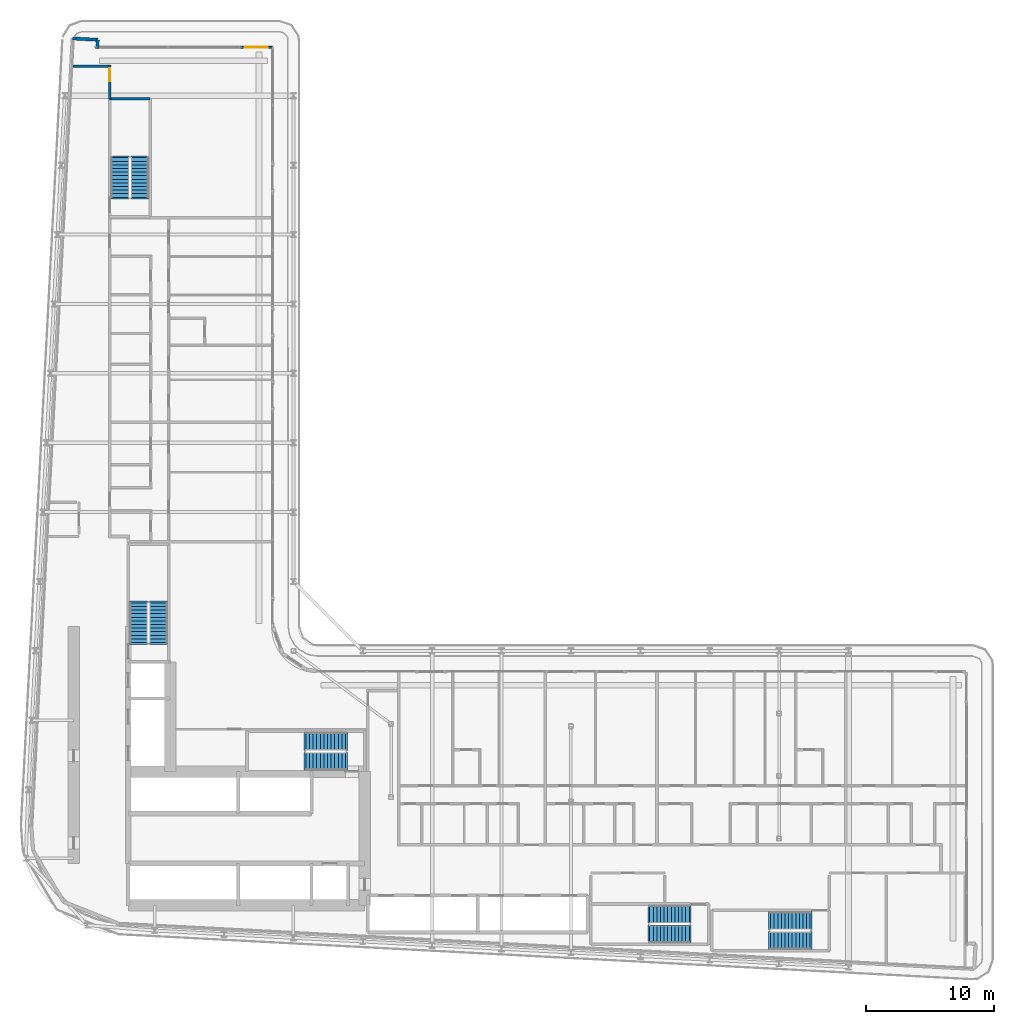
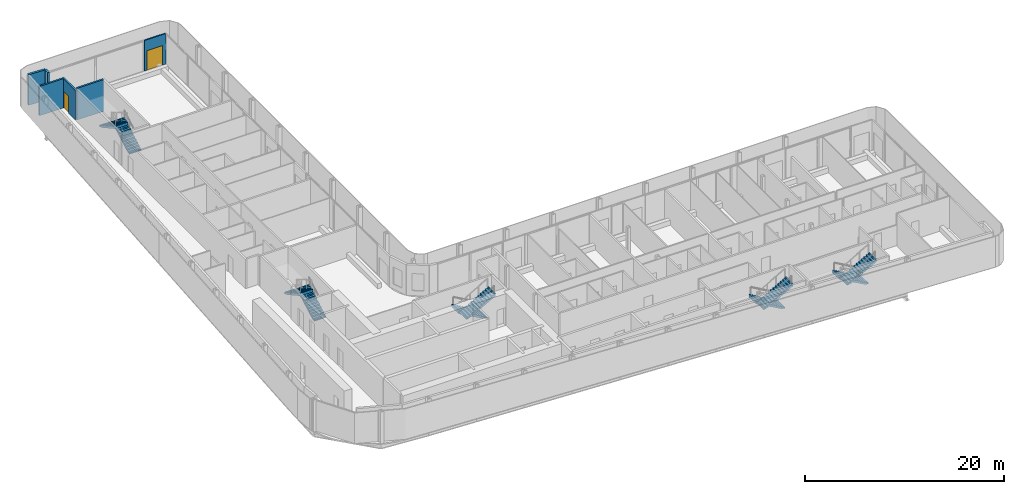
# One storey, part 18 of 25: 10 stair flights, 6 walls, 2 doors, 2 openings, 5 elements without a shape of their own.
"""IFC4 building model written with IfcOpenShell, lengths in metres."""

from ifc_helpers import new_model, si_unit, direction, frame, frame_2d, origin, place, context, subcontext, project, spatial, polyline, rectangle, outline, extrude, source, transform, mapped, material, layer, layer_set, type_object, element, fill, aggregate, save


model = new_model("IFC4")

# Units and contexts
model_context = context("Model", 3, precision=1e-05, world=origin(), true_north=direction((0.0, 1.0)))
body_context = subcontext(model_context, "Body", "Model", "MODEL_VIEW")
ifc_project = project(units=[si_unit("LENGTHUNIT", "METRE"), si_unit("AREAUNIT", "SQUARE_METRE"), si_unit("VOLUMEUNIT", "CUBIC_METRE"), si_unit("PLANEANGLEUNIT", "RADIAN"), si_unit("MASSUNIT", "GRAM", prefix="KILO")], contexts=[model_context])

# Site, building, storey
site_placement = place(None, origin())
site = spatial("IfcSite", under=ifc_project, at=site_placement, CompositionType="ELEMENT")
building_placement = place(site_placement, origin())
building = spatial("IfcBuilding", under=site, at=building_placement, Name="Kheshtan School and Residences Tower", CompositionType="ELEMENT")
storey_placement = place(building_placement, frame((0.0, 0.0, 109.699951171875)))
storey = spatial("IfcBuildingStorey", under=building, at=storey_placement, Name="L25", CompositionType="ELEMENT", Elevation=109.699951171875)

# Wall
ifc_material_1 = material(Name="Gypsum board on steel studs with fire boards", Category="steel")
ifc_layer_1 = layer(ifc_material_1, 0.199951171875)
ifc_layer_set_1 = layer_set([ifc_layer_1], Name="Corridor wall 200")
wall_type_1 = type_object("IfcWallType", Name="Corridor wall 200", PredefinedType="PARTITIONING", material=ifc_layer_set_1)
wall_1_placement = place(storey_placement, frame((30.432373046875, 91.10009765625, 0.0), z_axis=(0.0, 0.0, 1.0), x_axis=(1.0, 0.0, 0.0)))
element("IfcWall", 1, at=wall_1_placement, inside=storey, type_object=wall_type_1, Name="Partition L25-001", PredefinedType="PARTITIONING", context=body_context, shape_type="SweptSolid", body=[
    extrude(rectangle(XDim=2.767578125, YDim=0.199951171875, at=frame_2d((1.3837890625, 0.0))), origin(), (0.0, 0.0, 1.0), 3.60009765625),
])

# Wall, opening, door
wall_2_placement = place(storey_placement, frame((33.300048828125, 88.56005859375, 0.0), z_axis=(0.0, 0.0, 1.0), x_axis=(0.0, 1.0, 0.0)))
wall_2 = element("IfcWall", 2, at=wall_2_placement, inside=storey, type_object=wall_type_1, Name="Partition L25-004", PredefinedType="PARTITIONING", context=body_context, shape_type="SweptSolid", body=[
    extrude(rectangle(XDim=2.639892578125, YDim=0.199951171875, at=frame_2d((1.31982421875, 0.0))), origin(), (0.0, 0.0, 1.0), 3.60009765625),
])
opening_1_placement = place(wall_2_placement, frame((1.389892578125, 0.0, 0.0)))
opening_1 = element("IfcOpeningElement", 3, at=opening_1_placement, cuts=wall_2, Name="Opening D25-052", PredefinedType="OPENING", context=body_context, shape_type="SweptSolid", body=[
    extrude(rectangle(XDim=1.0, YDim=2.10009765625, at=frame_2d((0.5, 1.050048828125))), frame((0.0, 0.10986328125, 0.0), z_axis=(0.0, -1.0, 0.0), x_axis=(1.0, 0.0, 0.0)), (0.0, 0.0, 1.0), 0.219970703125),
])
ifc_material_2 = material(Name="Steel-framed fire-resisting door leaf", Category="steel")
door_type_1 = type_object("IfcDoorType", Name="Fire door FD60 1000 x 2100", OperationType="SINGLE_SWING_LEFT", PredefinedType="DOOR", material=ifc_material_2)
shared_shape_1 = source(origin(), body_context, "Body", "SweptSolid", [
    extrude(rectangle(XDim=1.0, YDim=2.10009765625, at=frame_2d((0.5, 1.050048828125))), frame((0.0, 0.02490234375, 0.0), z_axis=(0.0, -1.0, 0.0), x_axis=(1.0, 0.0, 0.0)), (0.0, 0.0, 1.0), 0.050048828125),
])
door_1_placement = place(opening_1_placement, origin())
door_1 = element("IfcDoor", 4, at=door_1_placement, inside=storey, type_object=door_type_1, Name="Door D25-052", OperationType="SINGLE_SWING_RIGHT", OverallHeight=2.10009765625, OverallWidth=1.0, PredefinedType="DOOR", context=body_context, shape_type="MappedRepresentation", body=[
    mapped(shared_shape_1, transform((0.0, 0.0, 0.0), x_axis=(1.0, 0.0, 0.0), y_axis=(0.0, 1.0, 0.0), z_axis=(0.0, 0.0, 1.0), scale=1.0)),
])
fill(opening_1, door_1)

# Walls
ifc_material_3 = material(Name="Concrete C40/50 with ceramic cladding and mineral wool insulation", Category="concrete")
ifc_layer_2 = layer(ifc_material_3, 0.25)
ifc_layer_set_2 = layer_set([ifc_layer_2], Name="External wall 250 ceramic clad")
wall_type_2 = type_object("IfcWallType", Name="External wall 250 ceramic clad", PredefinedType="SOLIDWALL", material=ifc_layer_set_2)
wall_3_placement = place(storey_placement, frame((30.4208984375, 93.263916015625, 0.0), z_axis=(0.0, 0.0, 1.0), x_axis=(0.998577785791, -0.053314216913, 0.0)))
element("IfcWall", 5, at=wall_3_placement, inside=storey, type_object=wall_type_2, Name="External wall L25 1", PredefinedType="SOLIDWALL", context=body_context, shape_type="SweptSolid", body=[
    extrude(rectangle(XDim=1.95068359375, YDim=0.25, at=frame_2d((0.975341796875, 0.0))), origin(), (0.0, 0.0, 1.0), 3.75),
])
wall_4_placement = place(storey_placement, frame((32.368896484375, 93.159912109375, 0.0), z_axis=(0.0, 0.0, 1.0), x_axis=(-0.053729014033, -0.998555553312, 0.0)))
element("IfcWall", 6, at=wall_4_placement, inside=storey, type_object=wall_type_2, Name="External wall L25 2", PredefinedType="SOLIDWALL", context=body_context, shape_type="SweptSolid", body=[
    extrude(rectangle(XDim=0.66796875, YDim=0.25, at=frame_2d((0.333984375, 0.0))), origin(), (0.0, 0.0, 1.0), 3.75),
])

# Wall, opening, door
ifc_material_4 = material(Name="Aluminium frame wall with insulated infill", Category="aluminium")
ifc_layer_3 = layer(ifc_material_4, 0.14990234375)
ifc_layer_set_3 = layer_set([ifc_layer_3], Name="Glazing frame wall 150")
wall_type_3 = type_object("IfcWallType", Name="Glazing frame wall 150", PredefinedType="SOLIDWALL", material=ifc_layer_set_3)
wall_5_placement = place(storey_placement, frame((43.5, 92.574951171875, 0.0), z_axis=(0.0, 0.0, 1.0), x_axis=(1.0, 0.0, 0.0)))
wall_5 = element("IfcWall", 7, at=wall_5_placement, inside=storey, type_object=wall_type_3, Name="Balcony door wall L25 3.1", PredefinedType="SOLIDWALL", context=body_context, shape_type="SweptSolid", body=[
    extrude(rectangle(XDim=2.470947265625, YDim=0.14990234375, at=frame_2d((1.2353515625, 0.0))), origin(), (0.0, 0.0, 1.0), 3.75),
])
opening_2_placement = place(wall_5_placement, frame((0.300048828125, 0.0, 0.0)))
opening_2 = element("IfcOpeningElement", 8, at=opening_2_placement, cuts=wall_5, Name="Opening BD", PredefinedType="OPENING", context=body_context, shape_type="SweptSolid", body=[
    extrude(rectangle(XDim=1.800048828125, YDim=2.39990234375, at=frame_2d((0.89990234375, 1.199951171875))), frame((0.0, 0.0849609375, 0.0), z_axis=(0.0, -1.0, 0.0), x_axis=(1.0, 0.0, 0.0)), (0.0, 0.0, 1.0), 0.169921875),
])
ifc_material_5 = material(Name="Clear low-e glass in thermally broken aluminium frame", Category="aluminium")
door_type_2 = type_object("IfcDoorType", Name="Balcony sliding door", OperationType="SLIDING_TO_LEFT", PredefinedType="DOOR", material=ifc_material_5)
shared_shape_2 = source(origin(), body_context, "Body", "SweptSolid", [
    extrude(rectangle(XDim=1.800048828125, YDim=2.39990234375, at=frame_2d((0.89990234375, 1.199951171875))), frame((0.0, 0.02490234375, 0.0), z_axis=(0.0, -1.0, 0.0), x_axis=(1.0, 0.0, 0.0)), (0.0, 0.0, 1.0), 0.050048828125),
])
door_2_placement = place(opening_2_placement, origin())
door_2 = element("IfcDoor", 9, at=door_2_placement, inside=storey, type_object=door_type_2, Name="Balcony door L25 3.1", OperationType="SLIDING_TO_LEFT", OverallHeight=2.39990234375, OverallWidth=1.800048828125, PredefinedType="DOOR", context=body_context, shape_type="MappedRepresentation", body=[
    mapped(shared_shape_2, transform((0.0, 0.0, 0.0), x_axis=(1.0, 0.0, 0.0), y_axis=(0.0, 1.0, 0.0), z_axis=(0.0, 0.0, 1.0), scale=1.0)),
])
fill(opening_2, door_2)

# Wall
ifc_material_6 = material(Name="Concrete C40/50", Category="concrete")
ifc_layer_4 = layer(ifc_material_6, 0.199951171875)
ifc_layer_set_4 = layer_set([ifc_layer_4], Name="Stair enclosure wall 200 Concrete C40/50")
wall_type_4 = type_object("IfcWallType", Name="Stair enclosure wall 200 Concrete C40/50", PredefinedType="SHEAR", material=ifc_layer_set_4)
wall_6_placement = place(storey_placement, frame((33.300048828125, 88.56005859375, 0.0), z_axis=(0.0, 0.0, 1.0), x_axis=(1.0, 0.0, 0.0)))
element("IfcWall", 10, at=wall_6_placement, inside=storey, type_object=wall_type_4, Name="Stair enclosure wall ST3", PredefinedType="SHEAR", context=body_context, shape_type="SweptSolid", body=[
    extrude(rectangle(XDim=3.14990234375, YDim=0.199951171875, at=frame_2d((1.574951171875, 0.0))), origin(), (0.0, 0.0, 1.0), 3.900146484375),
])

# Stair, stair flights
stair_type = type_object("IfcStairType", Name="Exit stair, half-turn", PredefinedType="HALF_TURN_STAIR", material=ifc_material_6)
stair_1_placement = place(storey_placement, origin())
stair_1 = element("IfcStair", 11, at=stair_1_placement, inside=storey, type_object=stair_type, Name="L25 Protected Exit Stair ST1", PredefinedType="HALF_TURN_STAIR")
ifc_layer_5 = layer(ifc_material_6, 0.14990234375)
ifc_layer_set_5 = layer_set([ifc_layer_5], Name="Stair flight 1400 Concrete C40/50")
stair_flight_type = type_object("IfcStairFlightType", Name="Stair flight 1400 Concrete C40/50", PredefinedType="STRAIGHT", material=ifc_layer_set_5)
stair_flight_1_placement = place(storey_placement, frame((51.64990234375, 38.550048828125, 0.0), z_axis=(0.0, 0.0, 1.0), x_axis=(-1.0, 0.0, 0.0)))
stair_flight_1 = element("IfcStairFlight", 12, at=stair_flight_1_placement, type_object=stair_flight_type, Name="ST1 flight 1", NumberOfRisers=12, NumberOfTreads=11, PredefinedType="STRAIGHT", RiserHeight=0.1625, TreadLength=0.28, context=body_context, shape_type="SweptSolid", body=[
    extrude(outline(polyline([(-0.14990234375, -0.10009765625), (-0.14990234375, 0.0), (0.0, 0.0), (0.0, 0.16259765625), (0.280029296875, 0.16259765625), (0.280029296875, 0.324951171875), (0.56005859375, 0.324951171875), (0.56005859375, 0.487548828125), (0.840087890625, 0.487548828125), (0.840087890625, 0.64990234375), (1.1201171875, 0.64990234375), (1.1201171875, 0.8125), (1.39990234375, 0.8125), (1.39990234375, 0.97509765625), (1.679931640625, 0.97509765625), (1.679931640625, 1.137451171875), (1.9599609375, 1.137451171875), (1.9599609375, 1.300048828125), (2.239990234375, 1.300048828125), (2.239990234375, 1.46240234375), (2.52001953125, 1.46240234375), (2.52001953125, 1.625), (2.800048828125, 1.625), (2.800048828125, 1.78759765625), (3.080078125, 1.78759765625), (3.080078125, 1.949951171875), (3.080078125, 1.969970703125), (3.22998046875, 1.969970703125), (3.22998046875, 1.6142578125), (0.298583984375, 0.0), (-0.14990234375, -0.10009765625)])), frame((0.0, 0.699951171875, 0.0), z_axis=(0.0, -1.0, 0.0), x_axis=(1.0, 0.0, 0.0)), (0.0, 0.0, 1.0), 1.39990234375),
])
stair_flight_2_placement = place(storey_placement, frame((48.570068359375, 37.0, 1.949951171875), z_axis=(0.0, 0.0, 1.0), x_axis=(1.0, 0.0, 0.0)))
stair_flight_2 = element("IfcStairFlight", 13, at=stair_flight_2_placement, type_object=stair_flight_type, Name="ST1 flight 2", NumberOfRisers=12, NumberOfTreads=11, PredefinedType="STRAIGHT", RiserHeight=0.1625, TreadLength=0.28, context=body_context, shape_type="SweptSolid", body=[
    extrude(outline(polyline([(-0.14990234375, -0.10009765625), (-0.14990234375, 0.0), (0.0, 0.0), (0.0, 0.16259765625), (0.280029296875, 0.16259765625), (0.280029296875, 0.324951171875), (0.56005859375, 0.324951171875), (0.56005859375, 0.487548828125), (0.840087890625, 0.487548828125), (0.840087890625, 0.64990234375), (1.1201171875, 0.64990234375), (1.1201171875, 0.8125), (1.39990234375, 0.8125), (1.39990234375, 0.97509765625), (1.679931640625, 0.97509765625), (1.679931640625, 1.137451171875), (1.9599609375, 1.137451171875), (1.9599609375, 1.300048828125), (2.239990234375, 1.300048828125), (2.239990234375, 1.46240234375), (2.52001953125, 1.46240234375), (2.52001953125, 1.625), (2.800048828125, 1.625), (2.800048828125, 1.78759765625), (3.080078125, 1.78759765625), (3.080078125, 1.949951171875), (3.080078125, 1.969970703125), (3.22998046875, 1.969970703125), (3.22998046875, 1.6142578125), (0.298583984375, 0.0), (-0.14990234375, -0.10009765625)])), frame((0.0, 0.699951171875, 0.0), z_axis=(0.0, -1.0, 0.0), x_axis=(1.0, 0.0, 0.0)), (0.0, 0.0, 1.0), 1.39990234375),
])
aggregate(stair_1, [stair_flight_1, stair_flight_2])

stair_2_placement = place(storey_placement, origin())
stair_2 = element("IfcStair", 14, at=stair_2_placement, inside=storey, type_object=stair_type, Name="L25 Protected Exit Stair ST2", PredefinedType="HALF_TURN_STAIR")
stair_flight_3_placement = place(storey_placement, frame((37.10009765625, 46.25, 0.0), z_axis=(0.0, 0.0, 1.0), x_axis=(0.0, 1.0, 0.0)))
stair_flight_3 = element("IfcStairFlight", 15, at=stair_flight_3_placement, type_object=stair_flight_type, Name="ST2 flight 1", NumberOfRisers=12, NumberOfTreads=11, PredefinedType="STRAIGHT", RiserHeight=0.1625, TreadLength=0.28, context=body_context, shape_type="SweptSolid", body=[
    extrude(outline(polyline([(-0.14990234375, -0.10009765625), (-0.14990234375, 0.0), (0.0, 0.0), (0.0, 0.16259765625), (0.280029296875, 0.16259765625), (0.280029296875, 0.324951171875), (0.56005859375, 0.324951171875), (0.56005859375, 0.487548828125), (0.840087890625, 0.487548828125), (0.840087890625, 0.64990234375), (1.1201171875, 0.64990234375), (1.1201171875, 0.8125), (1.39990234375, 0.8125), (1.39990234375, 0.97509765625), (1.679931640625, 0.97509765625), (1.679931640625, 1.137451171875), (1.9599609375, 1.137451171875), (1.9599609375, 1.300048828125), (2.239990234375, 1.300048828125), (2.239990234375, 1.46240234375), (2.52001953125, 1.46240234375), (2.52001953125, 1.625), (2.800048828125, 1.625), (2.800048828125, 1.78759765625), (3.080078125, 1.78759765625), (3.080078125, 1.949951171875), (3.080078125, 1.969970703125), (3.22998046875, 1.969970703125), (3.22998046875, 1.6142578125), (0.298583984375, 0.0), (-0.14990234375, -0.10009765625)])), frame((0.0, 0.699951171875, 0.0), z_axis=(0.0, -1.0, 0.0), x_axis=(1.0, 0.0, 0.0)), (0.0, 0.0, 1.0), 1.39990234375),
])
stair_flight_4_placement = place(storey_placement, frame((35.550048828125, 49.330078125, 1.949951171875), z_axis=(0.0, 0.0, 1.0), x_axis=(0.0, -1.0, 0.0)))
stair_flight_4 = element("IfcStairFlight", 16, at=stair_flight_4_placement, type_object=stair_flight_type, Name="ST2 flight 2", NumberOfRisers=12, NumberOfTreads=11, PredefinedType="STRAIGHT", RiserHeight=0.1625, TreadLength=0.28, context=body_context, shape_type="SweptSolid", body=[
    extrude(outline(polyline([(-0.14990234375, -0.10009765625), (-0.14990234375, 0.0), (0.0, 0.0), (0.0, 0.16259765625), (0.280029296875, 0.16259765625), (0.280029296875, 0.324951171875), (0.56005859375, 0.324951171875), (0.56005859375, 0.487548828125), (0.840087890625, 0.487548828125), (0.840087890625, 0.64990234375), (1.1201171875, 0.64990234375), (1.1201171875, 0.8125), (1.39990234375, 0.8125), (1.39990234375, 0.97509765625), (1.679931640625, 0.97509765625), (1.679931640625, 1.137451171875), (1.9599609375, 1.137451171875), (1.9599609375, 1.300048828125), (2.239990234375, 1.300048828125), (2.239990234375, 1.46240234375), (2.52001953125, 1.46240234375), (2.52001953125, 1.625), (2.800048828125, 1.625), (2.800048828125, 1.78759765625), (3.080078125, 1.78759765625), (3.080078125, 1.949951171875), (3.080078125, 1.969970703125), (3.22998046875, 1.969970703125), (3.22998046875, 1.6142578125), (0.298583984375, 0.0), (-0.14990234375, -0.10009765625)])), frame((0.0, 0.699951171875, 0.0), z_axis=(0.0, -1.0, 0.0), x_axis=(1.0, 0.0, 0.0)), (0.0, 0.0, 1.0), 1.39990234375),
])
aggregate(stair_2, [stair_flight_3, stair_flight_4])

stair_3_placement = place(storey_placement, origin())
stair_3 = element("IfcStair", 17, at=stair_3_placement, inside=storey, type_object=stair_type, Name="L25 Protected Exit Stair ST3", PredefinedType="HALF_TURN_STAIR")
stair_flight_5_placement = place(storey_placement, frame((35.64990234375, 80.89990234375, 0.0), z_axis=(0.0, 0.0, 1.0), x_axis=(0.0, 1.0, 0.0)))
stair_flight_5 = element("IfcStairFlight", 18, at=stair_flight_5_placement, type_object=stair_flight_type, Name="ST3 flight 1", NumberOfRisers=12, NumberOfTreads=11, PredefinedType="STRAIGHT", RiserHeight=0.1625, TreadLength=0.28, context=body_context, shape_type="SweptSolid", body=[
    extrude(outline(polyline([(-0.14990234375, -0.10009765625), (-0.14990234375, 0.0), (0.0, 0.0), (0.0, 0.16259765625), (0.280029296875, 0.16259765625), (0.280029296875, 0.324951171875), (0.56005859375, 0.324951171875), (0.56005859375, 0.487548828125), (0.840087890625, 0.487548828125), (0.840087890625, 0.64990234375), (1.1201171875, 0.64990234375), (1.1201171875, 0.8125), (1.39990234375, 0.8125), (1.39990234375, 0.97509765625), (1.679931640625, 0.97509765625), (1.679931640625, 1.137451171875), (1.9599609375, 1.137451171875), (1.9599609375, 1.300048828125), (2.239990234375, 1.300048828125), (2.239990234375, 1.46240234375), (2.52001953125, 1.46240234375), (2.52001953125, 1.625), (2.800048828125, 1.625), (2.800048828125, 1.78759765625), (3.080078125, 1.78759765625), (3.080078125, 1.949951171875), (3.080078125, 1.969970703125), (3.22998046875, 1.969970703125), (3.22998046875, 1.6142578125), (0.298583984375, 0.0), (-0.14990234375, -0.10009765625)])), frame((0.0, 0.699951171875, 0.0), z_axis=(0.0, -1.0, 0.0), x_axis=(1.0, 0.0, 0.0)), (0.0, 0.0, 1.0), 1.39990234375),
])
stair_flight_6_placement = place(storey_placement, frame((34.10009765625, 83.97998046875, 1.949951171875), z_axis=(0.0, 0.0, 1.0), x_axis=(0.0, -1.0, 0.0)))
stair_flight_6 = element("IfcStairFlight", 19, at=stair_flight_6_placement, type_object=stair_flight_type, Name="ST3 flight 2", NumberOfRisers=12, NumberOfTreads=11, PredefinedType="STRAIGHT", RiserHeight=0.1625, TreadLength=0.28, context=body_context, shape_type="SweptSolid", body=[
    extrude(outline(polyline([(-0.14990234375, -0.10009765625), (-0.14990234375, 0.0), (0.0, 0.0), (0.0, 0.16259765625), (0.280029296875, 0.16259765625), (0.280029296875, 0.324951171875), (0.56005859375, 0.324951171875), (0.56005859375, 0.487548828125), (0.840087890625, 0.487548828125), (0.840087890625, 0.64990234375), (1.1201171875, 0.64990234375), (1.1201171875, 0.8125), (1.39990234375, 0.8125), (1.39990234375, 0.97509765625), (1.679931640625, 0.97509765625), (1.679931640625, 1.137451171875), (1.9599609375, 1.137451171875), (1.9599609375, 1.300048828125), (2.239990234375, 1.300048828125), (2.239990234375, 1.46240234375), (2.52001953125, 1.46240234375), (2.52001953125, 1.625), (2.800048828125, 1.625), (2.800048828125, 1.78759765625), (3.080078125, 1.78759765625), (3.080078125, 1.949951171875), (3.080078125, 1.969970703125), (3.22998046875, 1.969970703125), (3.22998046875, 1.6142578125), (0.298583984375, 0.0), (-0.14990234375, -0.10009765625)])), frame((0.0, 0.699951171875, 0.0), z_axis=(0.0, -1.0, 0.0), x_axis=(1.0, 0.0, 0.0)), (0.0, 0.0, 1.0), 1.39990234375),
])
aggregate(stair_3, [stair_flight_5, stair_flight_6])

stair_4_placement = place(storey_placement, origin())
stair_4 = element("IfcStair", 20, at=stair_4_placement, inside=storey, type_object=stair_type, Name="L25 Protected Exit Stair ST4", PredefinedType="HALF_TURN_STAIR")
stair_flight_7_placement = place(storey_placement, frame((87.820068359375, 24.60009765625, 0.0), z_axis=(0.0, 0.0, 1.0), x_axis=(-1.0, 0.0, 0.0)))
stair_flight_7 = element("IfcStairFlight", 21, at=stair_flight_7_placement, type_object=stair_flight_type, Name="ST4 flight 1", NumberOfRisers=12, NumberOfTreads=11, PredefinedType="STRAIGHT", RiserHeight=0.1625, TreadLength=0.28, context=body_context, shape_type="SweptSolid", body=[
    extrude(outline(polyline([(-0.14990234375, -0.10009765625), (-0.14990234375, 0.0), (0.0, 0.0), (0.0, 0.16259765625), (0.280029296875, 0.16259765625), (0.280029296875, 0.324951171875), (0.56005859375, 0.324951171875), (0.56005859375, 0.487548828125), (0.840087890625, 0.487548828125), (0.840087890625, 0.64990234375), (1.1201171875, 0.64990234375), (1.1201171875, 0.8125), (1.39990234375, 0.8125), (1.39990234375, 0.97509765625), (1.679931640625, 0.97509765625), (1.679931640625, 1.137451171875), (1.9599609375, 1.137451171875), (1.9599609375, 1.300048828125), (2.239990234375, 1.300048828125), (2.239990234375, 1.46240234375), (2.52001953125, 1.46240234375), (2.52001953125, 1.625), (2.800048828125, 1.625), (2.800048828125, 1.78759765625), (3.080078125, 1.78759765625), (3.080078125, 1.949951171875), (3.080078125, 1.969970703125), (3.22998046875, 1.969970703125), (3.22998046875, 1.6142578125), (0.298583984375, 0.0), (-0.14990234375, -0.10009765625)])), frame((0.0, 0.699951171875, 0.0), z_axis=(0.0, -1.0, 0.0), x_axis=(1.0, 0.0, 0.0)), (0.0, 0.0, 1.0), 1.39990234375),
])
stair_flight_8_placement = place(storey_placement, frame((84.739990234375, 23.050048828125, 1.949951171875), z_axis=(0.0, 0.0, 1.0), x_axis=(1.0, 0.0, 0.0)))
stair_flight_8 = element("IfcStairFlight", 22, at=stair_flight_8_placement, type_object=stair_flight_type, Name="ST4 flight 2", NumberOfRisers=12, NumberOfTreads=11, PredefinedType="STRAIGHT", RiserHeight=0.1625, TreadLength=0.28, context=body_context, shape_type="SweptSolid", body=[
    extrude(outline(polyline([(-0.14990234375, -0.10009765625), (-0.14990234375, 0.0), (0.0, 0.0), (0.0, 0.16259765625), (0.280029296875, 0.16259765625), (0.280029296875, 0.324951171875), (0.56005859375, 0.324951171875), (0.56005859375, 0.487548828125), (0.840087890625, 0.487548828125), (0.840087890625, 0.64990234375), (1.1201171875, 0.64990234375), (1.1201171875, 0.8125), (1.39990234375, 0.8125), (1.39990234375, 0.97509765625), (1.679931640625, 0.97509765625), (1.679931640625, 1.137451171875), (1.9599609375, 1.137451171875), (1.9599609375, 1.300048828125), (2.239990234375, 1.300048828125), (2.239990234375, 1.46240234375), (2.52001953125, 1.46240234375), (2.52001953125, 1.625), (2.800048828125, 1.625), (2.800048828125, 1.78759765625), (3.080078125, 1.78759765625), (3.080078125, 1.949951171875), (3.080078125, 1.969970703125), (3.22998046875, 1.969970703125), (3.22998046875, 1.6142578125), (0.298583984375, 0.0), (-0.14990234375, -0.10009765625)])), frame((0.0, 0.699951171875, 0.0), z_axis=(0.0, -1.0, 0.0), x_axis=(1.0, 0.0, 0.0)), (0.0, 0.0, 1.0), 1.39990234375),
])
aggregate(stair_4, [stair_flight_7, stair_flight_8])

stair_5_placement = place(storey_placement, origin())
stair_5 = element("IfcStair", 23, at=stair_5_placement, inside=storey, type_object=stair_type, Name="L25 Protected Exit Stair ST5", PredefinedType="HALF_TURN_STAIR")
stair_flight_9_placement = place(storey_placement, frame((78.409912109375, 25.10009765625, 0.0), z_axis=(0.0, 0.0, 1.0), x_axis=(-1.0, 0.0, 0.0)))
stair_flight_9 = element("IfcStairFlight", 24, at=stair_flight_9_placement, type_object=stair_flight_type, Name="ST5 flight 1", NumberOfRisers=12, NumberOfTreads=11, PredefinedType="STRAIGHT", RiserHeight=0.1625, TreadLength=0.28, context=body_context, shape_type="SweptSolid", body=[
    extrude(outline(polyline([(-0.14990234375, -0.10009765625), (-0.14990234375, 0.0), (0.0, 0.0), (0.0, 0.16259765625), (0.280029296875, 0.16259765625), (0.280029296875, 0.324951171875), (0.56005859375, 0.324951171875), (0.56005859375, 0.487548828125), (0.840087890625, 0.487548828125), (0.840087890625, 0.64990234375), (1.1201171875, 0.64990234375), (1.1201171875, 0.8125), (1.39990234375, 0.8125), (1.39990234375, 0.97509765625), (1.679931640625, 0.97509765625), (1.679931640625, 1.137451171875), (1.9599609375, 1.137451171875), (1.9599609375, 1.300048828125), (2.239990234375, 1.300048828125), (2.239990234375, 1.46240234375), (2.52001953125, 1.46240234375), (2.52001953125, 1.625), (2.800048828125, 1.625), (2.800048828125, 1.78759765625), (3.080078125, 1.78759765625), (3.080078125, 1.949951171875), (3.080078125, 1.969970703125), (3.22998046875, 1.969970703125), (3.22998046875, 1.6142578125), (0.298583984375, 0.0), (-0.14990234375, -0.10009765625)])), frame((0.0, 0.699951171875, 0.0), z_axis=(0.0, -1.0, 0.0), x_axis=(1.0, 0.0, 0.0)), (0.0, 0.0, 1.0), 1.39990234375),
])
stair_flight_10_placement = place(storey_placement, frame((75.330078125, 23.550048828125, 1.949951171875), z_axis=(0.0, 0.0, 1.0), x_axis=(1.0, 0.0, 0.0)))
stair_flight_10 = element("IfcStairFlight", 25, at=stair_flight_10_placement, type_object=stair_flight_type, Name="ST5 flight 2", NumberOfRisers=12, NumberOfTreads=11, PredefinedType="STRAIGHT", RiserHeight=0.1625, TreadLength=0.28, context=body_context, shape_type="SweptSolid", body=[
    extrude(outline(polyline([(-0.14990234375, -0.10009765625), (-0.14990234375, 0.0), (0.0, 0.0), (0.0, 0.16259765625), (0.280029296875, 0.16259765625), (0.280029296875, 0.324951171875), (0.56005859375, 0.324951171875), (0.56005859375, 0.487548828125), (0.840087890625, 0.487548828125), (0.840087890625, 0.64990234375), (1.1201171875, 0.64990234375), (1.1201171875, 0.8125), (1.39990234375, 0.8125), (1.39990234375, 0.97509765625), (1.679931640625, 0.97509765625), (1.679931640625, 1.137451171875), (1.9599609375, 1.137451171875), (1.9599609375, 1.300048828125), (2.239990234375, 1.300048828125), (2.239990234375, 1.46240234375), (2.52001953125, 1.46240234375), (2.52001953125, 1.625), (2.800048828125, 1.625), (2.800048828125, 1.78759765625), (3.080078125, 1.78759765625), (3.080078125, 1.949951171875), (3.080078125, 1.969970703125), (3.22998046875, 1.969970703125), (3.22998046875, 1.6142578125), (0.298583984375, 0.0), (-0.14990234375, -0.10009765625)])), frame((0.0, 0.699951171875, 0.0), z_axis=(0.0, -1.0, 0.0), x_axis=(1.0, 0.0, 0.0)), (0.0, 0.0, 1.0), 1.39990234375),
])
aggregate(stair_5, [stair_flight_9, stair_flight_10])

save(model, "model.ifc")
